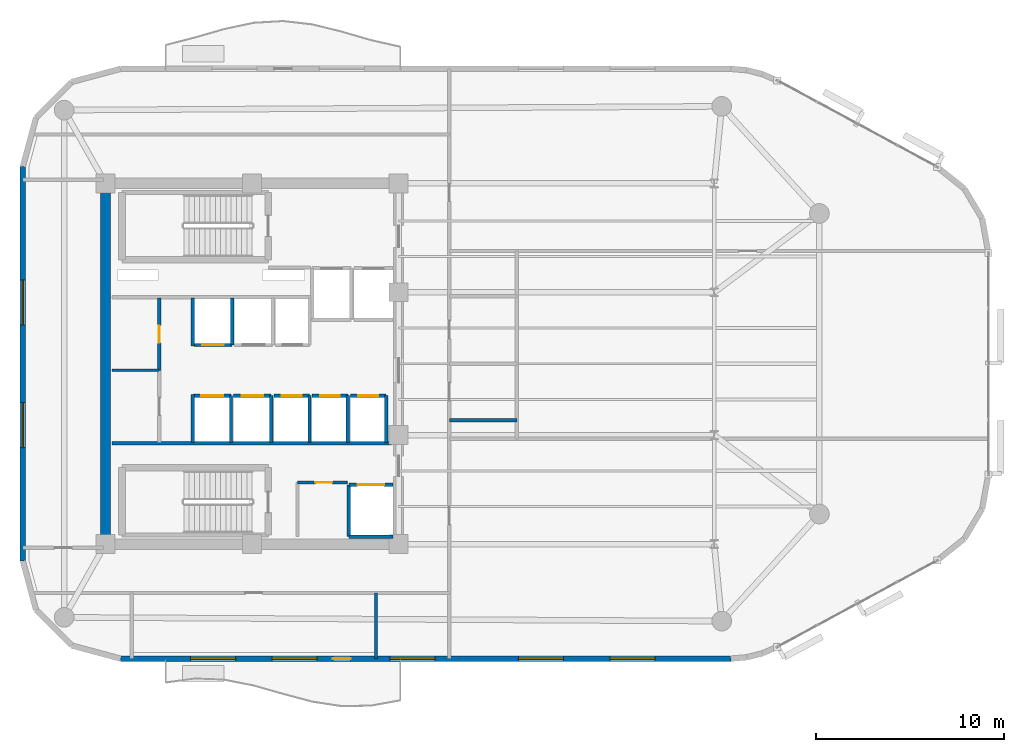
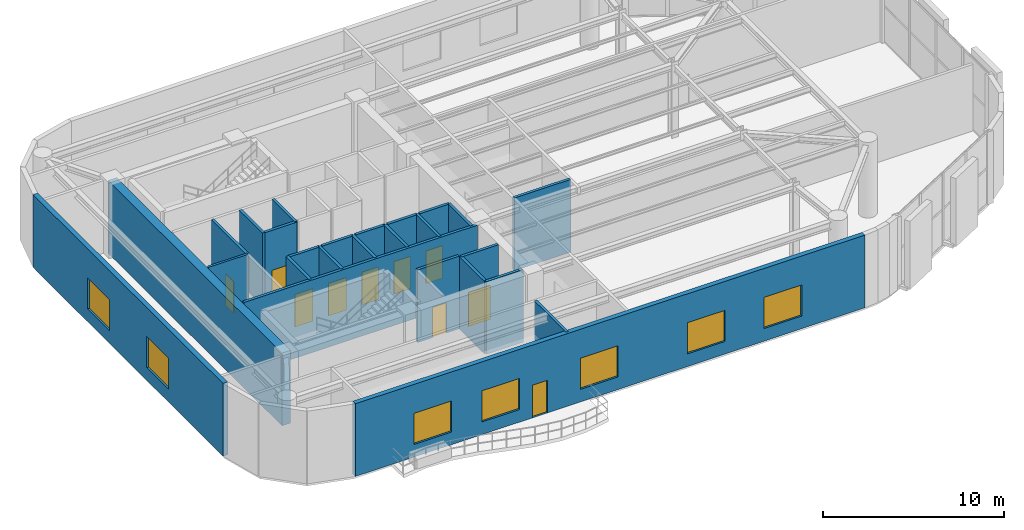
# One storey, part 7 of 11: 26 walls, 10 doors, 7 windows, 17 openings.
"""IFC4 building model written with IfcOpenShell, lengths in metres."""

from ifc_helpers import new_model, si_unit, direction, frame, frame_2d, origin, place, context, subcontext, project, spatial, rectangle, extrude, material, layer, layer_set, type_object, element, fill, save


model = new_model("IFC4")

# Units and contexts
model_context = context("Model", 3, precision=1e-05, world=origin(), true_north=direction((0.0, 1.0)))
body_context = subcontext(model_context, "Body", "Model", "MODEL_VIEW")
ifc_project = project(units=[si_unit("LENGTHUNIT", "METRE"), si_unit("AREAUNIT", "SQUARE_METRE"), si_unit("VOLUMEUNIT", "CUBIC_METRE"), si_unit("PLANEANGLEUNIT", "RADIAN"), si_unit("MASSUNIT", "GRAM", prefix="KILO")], contexts=[model_context])

# Site, building, storey
site_placement = place(None, origin())
site = spatial("IfcSite", under=ifc_project, at=site_placement, CompositionType="ELEMENT")
building_placement = place(site_placement, origin())
building = spatial("IfcBuilding", under=site, at=building_placement, Name="An Khanh Terracotta Commons", CompositionType="ELEMENT")
storey_placement = place(building_placement, frame((0.0, 0.0, 196.199951171875)))
storey = spatial("IfcBuildingStorey", under=building, at=storey_placement, Name="L51", CompositionType="ELEMENT", Elevation=196.199951171875)

# Walls
ifc_material_1 = material(Name="Concrete C50/60", Category="concrete")
ifc_layer_1 = layer(ifc_material_1, 0.550048828125, Name="Concrete C50/60")
ifc_layer_set_1 = layer_set([ifc_layer_1], Name="Concrete C50/60")
wall_type_1 = type_object("IfcWallType", Name="WALL-CORE-550", PredefinedType="SHEAR", material=ifc_layer_set_1)
wall_1_placement = place(storey_placement, frame((21.60009765625, 14.39990234375, 0.0), z_axis=(0.0, 0.0, 1.0), x_axis=(0.0, 1.0, 0.0)))
element("IfcWall", 1, at=wall_1_placement, inside=storey, type_object=wall_type_1, Name="L51 Core Wall CWALL-L51-W", PredefinedType="SHEAR", context=body_context, shape_type="SweptSolid", body=[
    extrude(rectangle(XDim=19.2001953125, YDim=0.550048828125, at=frame_2d((9.60009765625, 0.0))), origin(), (0.0, 0.0, 1.0), 4.900146484375),
])
ifc_material_2 = material(Name="Fire-Rated Gypsum Board on Steel Stud", Category="steel")
ifc_layer_2 = layer(ifc_material_2, 0.179931640625, Name="Fire-Rated Gypsum Board on Steel Stud")
ifc_layer_set_2 = layer_set([ifc_layer_2], Name="Fire-Rated Gypsum Board on Steel Stud")
wall_type_2 = type_object("IfcWallType", Name="WALL-CORR-180", PredefinedType="PARTITIONING", material=ifc_layer_set_2)
wall_2_placement = place(storey_placement, frame((21.949951171875, 19.760009765625, 0.0), z_axis=(0.0, 0.0, 1.0), x_axis=(1.0, 0.0, 0.0)))
element("IfcWall", 2, at=wall_2_placement, inside=storey, type_object=wall_type_2, Name="L51 Core Wall SVW-L51-N", PredefinedType="PARTITIONING", context=body_context, shape_type="SweptSolid", body=[
    extrude(rectangle(XDim=14.8701171875, YDim=0.179931640625, at=frame_2d((7.43505859375, 0.0))), origin(), (0.0, 0.0, 1.0), 4.900146484375),
])

# Wall, opening, door
wall_3_placement = place(storey_placement, frame((31.820068359375, 17.679931640625, 0.0), z_axis=(0.0, 0.0, 1.0), x_axis=(1.0, 0.0, 0.0)))
wall_3 = element("IfcWall", 3, at=wall_3_placement, inside=storey, type_object=wall_type_2, Name="L51 Core Wall SSVCW-L51-N", PredefinedType="PARTITIONING", context=body_context, shape_type="SweptSolid", body=[
    extrude(rectangle(XDim=2.659912109375, YDim=0.179931640625, at=frame_2d((1.330078125, 0.0))), origin(), (0.0, 0.0, 1.0), 4.900146484375),
])
opening_1_placement = place(wall_3_placement, frame((0.949951171875, 0.0, 0.0)))
opening_1 = element("IfcOpeningElement", 4, at=opening_1_placement, cuts=wall_3, Name="Opening D-SV", PredefinedType="OPENING", context=body_context, shape_type="SweptSolid", body=[
    extrude(rectangle(XDim=0.89990234375, YDim=2.050048828125, at=frame_2d((0.449951171875, 1.02490234375))), frame((0.0, 0.099853515625, 0.0), z_axis=(0.0, -1.0, 0.0), x_axis=(1.0, 0.0, 0.0)), (0.0, 0.0, 1.0), 0.199951171875),
])
ifc_material_3 = material(Name="Fire-Rated Powder-Coated Steel Door", Category="steel")
door_type_1 = type_object("IfcDoorType", Name="DOOR-SERV-900", OperationType="NOTDEFINED", PredefinedType="DOOR", material=ifc_material_3)
door_1_placement = place(opening_1_placement, origin())
door_1 = element("IfcDoor", 5, at=door_1_placement, inside=storey, type_object=door_type_1, Name="L51 Electrical Switch Cupboard Door", OperationType="SINGLE_SWING_RIGHT", OverallHeight=2.050048828125, OverallWidth=0.89990234375, PredefinedType="DOOR", context=body_context, shape_type="SweptSolid", body=[
    extrude(rectangle(XDim=0.89990234375, YDim=2.050048828125, at=frame_2d((0.449951171875, 1.02490234375))), frame((0.0, 0.02490234375, 0.0), z_axis=(0.0, -1.0, 0.0), x_axis=(1.0, 0.0, 0.0)), (0.0, 0.0, 1.0), 0.050048828125),
])
fill(opening_1, door_1)

wall_4_placement = place(storey_placement, frame((34.550048828125, 17.550048828125, 0.0), z_axis=(0.0, 0.0, 1.0), x_axis=(1.0, 0.0, 0.0)))
wall_4 = element("IfcWall", 6, at=wall_4_placement, inside=storey, type_object=wall_type_2, Name="L51 Core Wall LSH-L51-SVL-01-N", PredefinedType="PARTITIONING", context=body_context, shape_type="SweptSolid", body=[
    extrude(rectangle(XDim=2.349853515625, YDim=0.179931640625, at=frame_2d((1.1748046875, 0.0))), origin(), (0.0, 0.0, 1.0), 4.900146484375),
])
opening_2_placement = place(wall_4_placement, frame((0.47509765625, 0.0, 0.0)))
opening_2 = element("IfcOpeningElement", 7, at=opening_2_placement, cuts=wall_4, Name="Opening LD-SVL-01-L51", PredefinedType="OPENING", context=body_context, shape_type="SweptSolid", body=[
    extrude(rectangle(XDim=1.39990234375, YDim=2.300048828125, at=frame_2d((0.699951171875, 1.14990234375))), frame((0.0, 0.099853515625, 0.0), z_axis=(0.0, -1.0, 0.0), x_axis=(1.0, 0.0, 0.0)), (0.0, 0.0, 1.0), 0.199951171875),
])
ifc_material_4 = material(Name="Heavy-Duty Stainless Steel Goods Landing Door", Category="steel")
door_type_2 = type_object("IfcDoorType", Name="DOOR-LD-SVL-1400", OperationType="NOTDEFINED", PredefinedType="DOOR", material=ifc_material_4)
door_2_placement = place(opening_2_placement, origin())
door_2 = element("IfcDoor", 8, at=door_2_placement, inside=storey, type_object=door_type_2, Name="L51 Lift SVL-01 Sliding Landing Door", OperationType="DOUBLE_DOOR_SLIDING", OverallHeight=2.300048828125, OverallWidth=1.39990234375, PredefinedType="DOOR", context=body_context, shape_type="SweptSolid", body=[
    extrude(rectangle(XDim=1.39990234375, YDim=2.300048828125, at=frame_2d((0.699951171875, 1.14990234375))), frame((0.0, 0.02490234375, 0.0), z_axis=(0.0, -1.0, 0.0), x_axis=(1.0, 0.0, 0.0)), (0.0, 0.0, 1.0), 0.050048828125),
])
fill(opening_2, door_2)

# Walls
wall_5_placement = place(storey_placement, frame((36.89990234375, 14.800048828125, 0.0), z_axis=(0.0, 0.0, 1.0), x_axis=(-1.0, 0.0, 0.0)))
element("IfcWall", 9, at=wall_5_placement, inside=storey, type_object=wall_type_2, Name="L51 Core Wall LSH-L51-SVL-01-S", PredefinedType="PARTITIONING", context=body_context, shape_type="SweptSolid", body=[
    extrude(rectangle(XDim=2.349853515625, YDim=0.179931640625, at=frame_2d((1.1748046875, 0.0))), origin(), (0.0, 0.0, 1.0), 4.900146484375),
])
wall_6_placement = place(storey_placement, frame((34.550048828125, 17.550048828125, 0.0), z_axis=(0.0, 0.0, 1.0), x_axis=(0.0, -1.0, 0.0)))
element("IfcWall", 10, at=wall_6_placement, inside=storey, type_object=wall_type_2, Name="L51 Core Wall LSH-L51-SVL-01-W", PredefinedType="PARTITIONING", context=body_context, shape_type="SweptSolid", body=[
    extrude(rectangle(XDim=2.75, YDim=0.179931640625, at=frame_2d((1.375, 0.0))), origin(), (0.0, 0.0, 1.0), 4.900146484375),
])

# Wall, opening, door
wall_7_placement = place(storey_placement, frame((28.340087890625, 25.0, 0.0), z_axis=(0.0, 0.0, 1.0), x_axis=(-1.0, 0.0, 0.0)))
wall_7 = element("IfcWall", 11, at=wall_7_placement, inside=storey, type_object=wall_type_2, Name="L51 Core Wall LSH-L51-PL-M1-S", PredefinedType="PARTITIONING", context=body_context, shape_type="SweptSolid", body=[
    extrude(rectangle(XDim=2.02001953125, YDim=0.179931640625, at=frame_2d((1.010009765625, 0.0))), origin(), (0.0, 0.0, 1.0), 4.900146484375),
])
opening_3_placement = place(wall_7_placement, frame((0.43505859375, 0.0, 0.0)))
opening_3 = element("IfcOpeningElement", 12, at=opening_3_placement, cuts=wall_7, Name="Opening LD-PL-M1-L51", PredefinedType="OPENING", context=body_context, shape_type="SweptSolid", body=[
    extrude(rectangle(XDim=1.14990234375, YDim=2.199951171875, at=frame_2d((0.574951171875, 1.10009765625))), frame((0.0, 0.099853515625, 0.0), z_axis=(0.0, -1.0, 0.0), x_axis=(1.0, 0.0, 0.0)), (0.0, 0.0, 1.0), 0.199951171875),
])
ifc_material_5 = material(Name="Brushed Stainless Steel Passenger Landing Door", Category="steel")
door_type_3 = type_object("IfcDoorType", Name="DOOR-LD-PAX-1150", OperationType="NOTDEFINED", PredefinedType="DOOR", material=ifc_material_5)
door_3_placement = place(opening_3_placement, origin())
door_3 = element("IfcDoor", 13, at=door_3_placement, inside=storey, type_object=door_type_3, Name="L51 Lift PL-M1 Sliding Landing Door", OperationType="DOUBLE_DOOR_SLIDING", OverallHeight=2.199951171875, OverallWidth=1.14990234375, PredefinedType="DOOR", context=body_context, shape_type="SweptSolid", body=[
    extrude(rectangle(XDim=1.14990234375, YDim=2.199951171875, at=frame_2d((0.574951171875, 1.10009765625))), frame((0.0, 0.02490234375, 0.0), z_axis=(0.0, -1.0, 0.0), x_axis=(1.0, 0.0, 0.0)), (0.0, 0.0, 1.0), 0.050048828125),
])
fill(opening_3, door_3)

# Wall
wall_8_placement = place(storey_placement, frame((28.340087890625, 25.0, 0.0), z_axis=(0.0, 0.0, 1.0), x_axis=(0.0, 1.0, 0.0)))
element("IfcWall", 14, at=wall_8_placement, inside=storey, type_object=wall_type_2, Name="L51 Core Wall LSH-L51-PL-M1-E", PredefinedType="PARTITIONING", context=body_context, shape_type="SweptSolid", body=[
    extrude(rectangle(XDim=2.5, YDim=0.179931640625, at=frame_2d((1.25, 0.0))), origin(), (0.0, 0.0, 1.0), 4.900146484375),
])

# Wall, opening, door
wall_9_placement = place(storey_placement, frame((26.280029296875, 22.300048828125, 0.0), z_axis=(0.0, 0.0, 1.0), x_axis=(1.0, 0.0, 0.0)))
wall_9 = element("IfcWall", 15, at=wall_9_placement, inside=storey, type_object=wall_type_2, Name="L51 Core Wall LSH-L51-PL-M3-N", PredefinedType="PARTITIONING", context=body_context, shape_type="SweptSolid", body=[
    extrude(rectangle(XDim=2.0, YDim=0.179931640625, at=frame_2d((1.0, 0.0))), origin(), (0.0, 0.0, 1.0), 4.900146484375),
])
opening_4_placement = place(wall_9_placement, frame((0.425048828125, 0.0, 0.0)))
opening_4 = element("IfcOpeningElement", 16, at=opening_4_placement, cuts=wall_9, Name="Opening LD-PL-M3-L51", PredefinedType="OPENING", context=body_context, shape_type="SweptSolid", body=[
    extrude(rectangle(XDim=1.14990234375, YDim=2.199951171875, at=frame_2d((0.574951171875, 1.10009765625))), frame((0.0, 0.099853515625, 0.0), z_axis=(0.0, -1.0, 0.0), x_axis=(1.0, 0.0, 0.0)), (0.0, 0.0, 1.0), 0.199951171875),
])
door_4_placement = place(opening_4_placement, origin())
door_4 = element("IfcDoor", 17, at=door_4_placement, inside=storey, type_object=door_type_3, Name="L51 Lift PL-M3 Sliding Landing Door", OperationType="DOUBLE_DOOR_SLIDING", OverallHeight=2.199951171875, OverallWidth=1.14990234375, PredefinedType="DOOR", context=body_context, shape_type="SweptSolid", body=[
    extrude(rectangle(XDim=1.14990234375, YDim=2.199951171875, at=frame_2d((0.574951171875, 1.10009765625))), frame((0.0, 0.02490234375, 0.0), z_axis=(0.0, -1.0, 0.0), x_axis=(1.0, 0.0, 0.0)), (0.0, 0.0, 1.0), 0.050048828125),
])
fill(opening_4, door_4)

# Wall
wall_10_placement = place(storey_placement, frame((28.280029296875, 19.800048828125, 0.0), z_axis=(0.0, 0.0, 1.0), x_axis=(0.0, 1.0, 0.0)))
element("IfcWall", 18, at=wall_10_placement, inside=storey, type_object=wall_type_2, Name="L51 Core Wall LSH-L51-PL-M3-E", PredefinedType="PARTITIONING", context=body_context, shape_type="SweptSolid", body=[
    extrude(rectangle(XDim=2.5, YDim=0.179931640625, at=frame_2d((1.25, 0.0))), origin(), (0.0, 0.0, 1.0), 4.900146484375),
])

# Wall, opening, door
wall_11_placement = place(storey_placement, frame((28.419921875, 22.300048828125, 0.0), z_axis=(0.0, 0.0, 1.0), x_axis=(1.0, 0.0, 0.0)))
wall_11 = element("IfcWall", 19, at=wall_11_placement, inside=storey, type_object=wall_type_2, Name="L51 Core Wall LSH-L51-PL-M4-N", PredefinedType="PARTITIONING", context=body_context, shape_type="SweptSolid", body=[
    extrude(rectangle(XDim=2.0, YDim=0.179931640625, at=frame_2d((1.0, 0.0))), origin(), (0.0, 0.0, 1.0), 4.900146484375),
])
opening_5_placement = place(wall_11_placement, frame((0.425048828125, 0.0, 0.0)))
opening_5 = element("IfcOpeningElement", 20, at=opening_5_placement, cuts=wall_11, Name="Opening LD-PL-M4-L51", PredefinedType="OPENING", context=body_context, shape_type="SweptSolid", body=[
    extrude(rectangle(XDim=1.14990234375, YDim=2.199951171875, at=frame_2d((0.574951171875, 1.10009765625))), frame((0.0, 0.099853515625, 0.0), z_axis=(0.0, -1.0, 0.0), x_axis=(1.0, 0.0, 0.0)), (0.0, 0.0, 1.0), 0.199951171875),
])
door_5_placement = place(opening_5_placement, origin())
door_5 = element("IfcDoor", 21, at=door_5_placement, inside=storey, type_object=door_type_3, Name="L51 Lift PL-M4 Sliding Landing Door", OperationType="DOUBLE_DOOR_SLIDING", OverallHeight=2.199951171875, OverallWidth=1.14990234375, PredefinedType="DOOR", context=body_context, shape_type="SweptSolid", body=[
    extrude(rectangle(XDim=1.14990234375, YDim=2.199951171875, at=frame_2d((0.574951171875, 1.10009765625))), frame((0.0, 0.02490234375, 0.0), z_axis=(0.0, -1.0, 0.0), x_axis=(1.0, 0.0, 0.0)), (0.0, 0.0, 1.0), 0.050048828125),
])
fill(opening_5, door_5)

# Wall
wall_12_placement = place(storey_placement, frame((30.419921875, 19.800048828125, 0.0), z_axis=(0.0, 0.0, 1.0), x_axis=(0.0, 1.0, 0.0)))
element("IfcWall", 22, at=wall_12_placement, inside=storey, type_object=wall_type_2, Name="L51 Core Wall LSH-L51-PL-M4-E", PredefinedType="PARTITIONING", context=body_context, shape_type="SweptSolid", body=[
    extrude(rectangle(XDim=2.5, YDim=0.179931640625, at=frame_2d((1.25, 0.0))), origin(), (0.0, 0.0, 1.0), 4.900146484375),
])

# Wall, opening, door
wall_13_placement = place(storey_placement, frame((30.56005859375, 22.300048828125, 0.0), z_axis=(0.0, 0.0, 1.0), x_axis=(1.0, 0.0, 0.0)))
wall_13 = element("IfcWall", 23, at=wall_13_placement, inside=storey, type_object=wall_type_2, Name="L51 Core Wall LSH-L51-PL-H2-N", PredefinedType="PARTITIONING", context=body_context, shape_type="SweptSolid", body=[
    extrude(rectangle(XDim=1.89990234375, YDim=0.179931640625, at=frame_2d((0.949951171875, 0.0))), origin(), (0.0, 0.0, 1.0), 4.900146484375),
])
opening_6_placement = place(wall_13_placement, frame((0.425048828125, 0.0, 0.0)))
opening_6 = element("IfcOpeningElement", 24, at=opening_6_placement, cuts=wall_13, Name="Opening LD-PL-H2-L51", PredefinedType="OPENING", context=body_context, shape_type="SweptSolid", body=[
    extrude(rectangle(XDim=1.050048828125, YDim=2.199951171875, at=frame_2d((0.52490234375, 1.10009765625))), frame((0.0, 0.099853515625, 0.0), z_axis=(0.0, -1.0, 0.0), x_axis=(1.0, 0.0, 0.0)), (0.0, 0.0, 1.0), 0.199951171875),
])
ifc_material_6 = material(Name="Brushed Stainless Steel High-Rise Landing Door", Category="steel")
door_type_4 = type_object("IfcDoorType", Name="DOOR-LD-PAXH-1050", OperationType="NOTDEFINED", PredefinedType="DOOR", material=ifc_material_6)
door_6_placement = place(opening_6_placement, origin())
door_6 = element("IfcDoor", 25, at=door_6_placement, inside=storey, type_object=door_type_4, Name="L51 Lift PL-H2 Sliding Landing Door", OperationType="DOUBLE_DOOR_SLIDING", OverallHeight=2.199951171875, OverallWidth=1.050048828125, PredefinedType="DOOR", context=body_context, shape_type="SweptSolid", body=[
    extrude(rectangle(XDim=1.050048828125, YDim=2.199951171875, at=frame_2d((0.52490234375, 1.10009765625))), frame((0.0, 0.02490234375, 0.0), z_axis=(0.0, -1.0, 0.0), x_axis=(1.0, 0.0, 0.0)), (0.0, 0.0, 1.0), 0.050048828125),
])
fill(opening_6, door_6)

# Wall
wall_14_placement = place(storey_placement, frame((32.4599609375, 19.800048828125, 0.0), z_axis=(0.0, 0.0, 1.0), x_axis=(0.0, 1.0, 0.0)))
element("IfcWall", 26, at=wall_14_placement, inside=storey, type_object=wall_type_2, Name="L51 Core Wall LSH-L51-PL-H2-E", PredefinedType="PARTITIONING", context=body_context, shape_type="SweptSolid", body=[
    extrude(rectangle(XDim=2.5, YDim=0.179931640625, at=frame_2d((1.25, 0.0))), origin(), (0.0, 0.0, 1.0), 4.900146484375),
])

# Wall, opening, door
wall_15_placement = place(storey_placement, frame((32.60009765625, 22.300048828125, 0.0), z_axis=(0.0, 0.0, 1.0), x_axis=(1.0, 0.0, 0.0)))
wall_15 = element("IfcWall", 27, at=wall_15_placement, inside=storey, type_object=wall_type_2, Name="L51 Core Wall LSH-L51-PL-H3-N", PredefinedType="PARTITIONING", context=body_context, shape_type="SweptSolid", body=[
    extrude(rectangle(XDim=1.89990234375, YDim=0.179931640625, at=frame_2d((0.949951171875, 0.0))), origin(), (0.0, 0.0, 1.0), 4.900146484375),
])
opening_7_placement = place(wall_15_placement, frame((0.425048828125, 0.0, 0.0)))
opening_7 = element("IfcOpeningElement", 28, at=opening_7_placement, cuts=wall_15, Name="Opening LD-PL-H3-L51", PredefinedType="OPENING", context=body_context, shape_type="SweptSolid", body=[
    extrude(rectangle(XDim=1.050048828125, YDim=2.199951171875, at=frame_2d((0.52490234375, 1.10009765625))), frame((0.0, 0.099853515625, 0.0), z_axis=(0.0, -1.0, 0.0), x_axis=(1.0, 0.0, 0.0)), (0.0, 0.0, 1.0), 0.199951171875),
])
door_7_placement = place(opening_7_placement, origin())
door_7 = element("IfcDoor", 29, at=door_7_placement, inside=storey, type_object=door_type_4, Name="L51 Lift PL-H3 Sliding Landing Door", OperationType="DOUBLE_DOOR_SLIDING", OverallHeight=2.199951171875, OverallWidth=1.050048828125, PredefinedType="DOOR", context=body_context, shape_type="SweptSolid", body=[
    extrude(rectangle(XDim=1.050048828125, YDim=2.199951171875, at=frame_2d((0.52490234375, 1.10009765625))), frame((0.0, 0.02490234375, 0.0), z_axis=(0.0, -1.0, 0.0), x_axis=(1.0, 0.0, 0.0)), (0.0, 0.0, 1.0), 0.050048828125),
])
fill(opening_7, door_7)

# Wall
wall_16_placement = place(storey_placement, frame((34.5, 19.800048828125, 0.0), z_axis=(0.0, 0.0, 1.0), x_axis=(0.0, 1.0, 0.0)))
element("IfcWall", 30, at=wall_16_placement, inside=storey, type_object=wall_type_2, Name="L51 Core Wall LSH-L51-PL-H3-E", PredefinedType="PARTITIONING", context=body_context, shape_type="SweptSolid", body=[
    extrude(rectangle(XDim=2.5, YDim=0.179931640625, at=frame_2d((1.25, 0.0))), origin(), (0.0, 0.0, 1.0), 4.900146484375),
])

# Wall, opening, door
wall_17_placement = place(storey_placement, frame((34.639892578125, 22.300048828125, 0.0), z_axis=(0.0, 0.0, 1.0), x_axis=(1.0, 0.0, 0.0)))
wall_17 = element("IfcWall", 31, at=wall_17_placement, inside=storey, type_object=wall_type_2, Name="L51 Core Wall LSH-L51-PL-H4-N", PredefinedType="PARTITIONING", context=body_context, shape_type="SweptSolid", body=[
    extrude(rectangle(XDim=1.900146484375, YDim=0.179931640625, at=frame_2d((0.9501953125, 0.0))), origin(), (0.0, 0.0, 1.0), 4.900146484375),
])
opening_8_placement = place(wall_17_placement, frame((0.425048828125, 0.0, 0.0)))
opening_8 = element("IfcOpeningElement", 32, at=opening_8_placement, cuts=wall_17, Name="Opening LD-PL-H4-L51", PredefinedType="OPENING", context=body_context, shape_type="SweptSolid", body=[
    extrude(rectangle(XDim=1.050048828125, YDim=2.199951171875, at=frame_2d((0.52490234375, 1.10009765625))), frame((0.0, 0.099853515625, 0.0), z_axis=(0.0, -1.0, 0.0), x_axis=(1.0, 0.0, 0.0)), (0.0, 0.0, 1.0), 0.199951171875),
])
door_8_placement = place(opening_8_placement, origin())
door_8 = element("IfcDoor", 33, at=door_8_placement, inside=storey, type_object=door_type_4, Name="L51 Lift PL-H4 Sliding Landing Door", OperationType="DOUBLE_DOOR_SLIDING", OverallHeight=2.199951171875, OverallWidth=1.050048828125, PredefinedType="DOOR", context=body_context, shape_type="SweptSolid", body=[
    extrude(rectangle(XDim=1.050048828125, YDim=2.199951171875, at=frame_2d((0.52490234375, 1.10009765625))), frame((0.0, 0.02490234375, 0.0), z_axis=(0.0, -1.0, 0.0), x_axis=(1.0, 0.0, 0.0)), (0.0, 0.0, 1.0), 0.050048828125),
])
fill(opening_8, door_8)

# Wall
wall_18_placement = place(storey_placement, frame((36.5400390625, 19.800048828125, 0.0), z_axis=(0.0, 0.0, 1.0), x_axis=(0.0, 1.0, 0.0)))
element("IfcWall", 34, at=wall_18_placement, inside=storey, type_object=wall_type_2, Name="L51 Core Wall LSH-L51-PL-H4-E", PredefinedType="PARTITIONING", context=body_context, shape_type="SweptSolid", body=[
    extrude(rectangle(XDim=2.5, YDim=0.179931640625, at=frame_2d((1.25, 0.0))), origin(), (0.0, 0.0, 1.0), 4.900146484375),
])

# Wall, opening, door
wall_19_placement = place(storey_placement, frame((24.4599609375, 23.64990234375, 0.0), z_axis=(0.0, 0.0, 1.0), x_axis=(0.0, 1.0, 0.0)))
wall_19 = element("IfcWall", 35, at=wall_19_placement, inside=storey, type_object=wall_type_2, Name="L51 Core Wall RECW-L51-E1", PredefinedType="PARTITIONING", context=body_context, shape_type="SweptSolid", body=[
    extrude(rectangle(XDim=3.85009765625, YDim=0.179931640625, at=frame_2d((1.925048828125, 0.0))), origin(), (0.0, 0.0, 1.0), 4.900146484375),
])
opening_9_placement = place(wall_19_placement, frame((1.465087890625, 0.0, 0.0)))
opening_9 = element("IfcOpeningElement", 36, at=opening_9_placement, cuts=wall_19, Name="Opening D-RM", PredefinedType="OPENING", context=body_context, shape_type="SweptSolid", body=[
    extrude(rectangle(XDim=0.919921875, YDim=2.10009765625, at=frame_2d((0.4599609375, 1.050048828125))), frame((0.0, 0.099853515625, 0.0), z_axis=(0.0, -1.0, 0.0), x_axis=(1.0, 0.0, 0.0)), (0.0, 0.0, 1.0), 0.199951171875),
])
ifc_material_7 = material(Name="Engineered Hardwood Timber Leaf", Category="wood")
door_type_5 = type_object("IfcDoorType", Name="DOOR-INT-920", OperationType="NOTDEFINED", PredefinedType="DOOR", material=ifc_material_7)
door_9_placement = place(opening_9_placement, origin())
door_9 = element("IfcDoor", 37, at=door_9_placement, inside=storey, type_object=door_type_5, Name="L51 Communal Laundry Room Door", OperationType="SINGLE_SWING_LEFT", OverallHeight=2.10009765625, OverallWidth=0.919921875, PredefinedType="DOOR", context=body_context, shape_type="SweptSolid", body=[
    extrude(rectangle(XDim=0.919921875, YDim=2.10009765625, at=frame_2d((0.4599609375, 1.050048828125))), frame((0.0, 0.02490234375, 0.0), z_axis=(0.0, -1.0, 0.0), x_axis=(1.0, 0.0, 0.0)), (0.0, 0.0, 1.0), 0.050048828125),
])
fill(opening_9, door_9)

# Walls
for number, where, z_axis, x_axis, name in (
    (38, (26.25, 24.949951171875, 0.0), (0.0, 0.0, 1.0), (0.0, 1.0, 0.0), "L51 Core Wall RECW-L51-BE1"),
    (39, (26.25, 19.800048828125, 0.0), (0.0, 0.0, 1.0), (0.0, 1.0, 0.0), "L51 Core Wall RECW-L51-BE2"),
):
    element("IfcWall", number, at=place(storey_placement, frame(where, z_axis=z_axis, x_axis=x_axis)), inside=storey, type_object=wall_type_2, Name=name, PredefinedType="PARTITIONING", context=body_context, shape_type="SweptSolid", body=[
        extrude(rectangle(XDim=2.550048828125, YDim=0.179931640625, at=frame_2d((1.27490234375, 0.0))), origin(), (0.0, 0.0, 1.0), 4.900146484375),
    ])
wall_20_placement = place(storey_placement, frame((39.89990234375, 21.0, 0.0), z_axis=(0.0, 0.0, 1.0), x_axis=(1.0, 0.0, 0.0)))
element("IfcWall", 40, at=wall_20_placement, inside=storey, type_object=wall_type_2, Name="L51 Interior Partition IW-L51-E004", PredefinedType="PARTITIONING", context=body_context, shape_type="SweptSolid", body=[
    extrude(rectangle(XDim=3.60009765625, YDim=0.179931640625, at=frame_2d((1.800048828125, 0.0))), origin(), (0.0, 0.0, 1.0), 4.900146484375),
])
wall_21_placement = place(storey_placement, frame((36.0, 8.300048828125, 0.0), z_axis=(0.0, 0.0, 1.0), x_axis=(0.0, 1.0, 0.0)))
element("IfcWall", 41, at=wall_21_placement, inside=storey, type_object=wall_type_2, Name="L51 Interior Partition IW-L51-E011", PredefinedType="PARTITIONING", context=body_context, shape_type="SweptSolid", body=[
    extrude(rectangle(XDim=3.5, YDim=0.179931640625, at=frame_2d((1.75, 0.0))), origin(), (0.0, 0.0, 1.0), 4.900146484375),
])

# Wall, openings, door, windows
ifc_material_8 = material(Name="Precast concrete C40/50", Category="concrete")
ifc_layer_3 = layer(ifc_material_8, 0.300048828125, Name="Precast concrete C40/50")
ifc_layer_set_3 = layer_set([ifc_layer_3], Name="Precast concrete C40/50")
wall_type_3 = type_object("IfcWallType", Name="WALL-EXT-300", PredefinedType="SOLIDWALL", material=ifc_layer_set_3)
wall_22_placement = place(storey_placement, frame((22.39990234375, 8.300048828125, 0.0), z_axis=(0.0, 0.0, 1.0), x_axis=(1.0, 0.0, 0.0)))
wall_22 = element("IfcWall", 42, at=wall_22_placement, inside=storey, type_object=wall_type_3, Name="L51 Insulated Terracotta Exterior Wall 4", PredefinedType="SOLIDWALL", context=body_context, shape_type="SweptSolid", body=[
    extrude(rectangle(XDim=32.485107421875, YDim=0.300048828125, at=frame_2d((16.24267578125, 0.0))), origin(), (0.0, 0.0, 1.0), 4.900146484375),
])
opening_10_placement = place(wall_22_placement, frame((11.300048828125, 0.0, 0.0)))
opening_10 = element("IfcOpeningElement", 43, at=opening_10_placement, cuts=wall_22, Name="Opening D-BAL", PredefinedType="OPENING", context=body_context, shape_type="SweptSolid", body=[
    extrude(rectangle(XDim=0.949951171875, YDim=2.199951171875, at=frame_2d((0.47509765625, 1.10009765625))), frame((0.0, 0.159912109375, 0.0), z_axis=(0.0, -1.0, 0.0), x_axis=(1.0, 0.0, 0.0)), (0.0, 0.0, 1.0), 0.320068359375),
])
opening_11_placement = place(wall_22_placement, frame((3.73291015625, 0.0, 0.85009765625)))
opening_11 = element("IfcOpeningElement", 44, at=opening_11_placement, cuts=wall_22, Name="Opening W-07", PredefinedType="OPENING", context=body_context, shape_type="SweptSolid", body=[
    extrude(rectangle(XDim=2.39990234375, YDim=2.10009765625, at=frame_2d((1.199951171875, 1.050048828125))), frame((0.0, 0.159912109375, 0.0), z_axis=(0.0, -1.0, 0.0), x_axis=(1.0, 0.0, 0.0)), (0.0, 0.0, 1.0), 0.320068359375),
])
opening_12_placement = place(wall_22_placement, frame((8.06689453125, 0.0, 0.85009765625)))
opening_12 = element("IfcOpeningElement", 45, at=opening_12_placement, cuts=wall_22, Name="Opening W-07", PredefinedType="OPENING", context=body_context, shape_type="SweptSolid", body=[
    extrude(rectangle(XDim=2.39990234375, YDim=2.10009765625, at=frame_2d((1.199951171875, 1.050048828125))), frame((0.0, 0.159912109375, 0.0), z_axis=(0.0, -1.0, 0.0), x_axis=(1.0, 0.0, 0.0)), (0.0, 0.0, 1.0), 0.320068359375),
])
opening_13_placement = place(wall_22_placement, frame((14.35009765625, 0.0, 0.85009765625)))
opening_13 = element("IfcOpeningElement", 46, at=opening_13_placement, cuts=wall_22, Name="Opening W-07", PredefinedType="OPENING", context=body_context, shape_type="SweptSolid", body=[
    extrude(rectangle(XDim=2.39990234375, YDim=2.10009765625, at=frame_2d((1.199951171875, 1.050048828125))), frame((0.0, 0.159912109375, 0.0), z_axis=(0.0, -1.0, 0.0), x_axis=(1.0, 0.0, 0.0)), (0.0, 0.0, 1.0), 0.320068359375),
])
opening_14_placement = place(wall_22_placement, frame((21.177978515625, 0.0, 0.85009765625)))
opening_14 = element("IfcOpeningElement", 47, at=opening_14_placement, cuts=wall_22, Name="Opening W-07", PredefinedType="OPENING", context=body_context, shape_type="SweptSolid", body=[
    extrude(rectangle(XDim=2.39990234375, YDim=2.10009765625, at=frame_2d((1.199951171875, 1.050048828125))), frame((0.0, 0.159912109375, 0.0), z_axis=(0.0, -1.0, 0.0), x_axis=(1.0, 0.0, 0.0)), (0.0, 0.0, 1.0), 0.320068359375),
])
opening_15_placement = place(wall_22_placement, frame((26.056884765625, 0.0, 0.85009765625)))
opening_15 = element("IfcOpeningElement", 48, at=opening_15_placement, cuts=wall_22, Name="Opening W-07", PredefinedType="OPENING", context=body_context, shape_type="SweptSolid", body=[
    extrude(rectangle(XDim=2.39990234375, YDim=2.10009765625, at=frame_2d((1.199951171875, 1.050048828125))), frame((0.0, 0.159912109375, 0.0), z_axis=(0.0, -1.0, 0.0), x_axis=(1.0, 0.0, 0.0)), (0.0, 0.0, 1.0), 0.320068359375),
])
ifc_material_9 = material(Name="Thermally Broken Aluminium and Low-E Glass", Category="aluminium")
door_type_6 = type_object("IfcDoorType", Name="DOOR-BALC-950", OperationType="NOTDEFINED", PredefinedType="DOOR", material=ifc_material_9)
door_10_placement = place(opening_10_placement, origin())
door_10 = element("IfcDoor", 49, at=door_10_placement, inside=storey, type_object=door_type_6, Name="L51 S Wave Balcony Glazed Door", OperationType="SINGLE_SWING_LEFT", OverallHeight=2.199951171875, OverallWidth=0.949951171875, PredefinedType="DOOR", context=body_context, shape_type="SweptSolid", body=[
    extrude(rectangle(XDim=0.949951171875, YDim=2.199951171875, at=frame_2d((0.47509765625, 1.10009765625))), frame((0.0, 0.02490234375, 0.0), z_axis=(0.0, -1.0, 0.0), x_axis=(1.0, 0.0, 0.0)), (0.0, 0.0, 1.0), 0.050048828125),
])
fill(opening_10, door_10)
window_type = type_object("IfcWindowType", Name="WIN-SKY-2400x2100", PartitioningType="TRIPLE_PANEL_VERTICAL", PredefinedType="WINDOW", material=ifc_material_9)
window_1_placement = place(opening_11_placement, origin())
window_1 = element("IfcWindow", 50, at=window_1_placement, inside=storey, type_object=window_type, Name="L51 Operable Casement Window 4.1", OverallHeight=2.10009765625, OverallWidth=2.39990234375, PartitioningType="TRIPLE_PANEL_VERTICAL", PredefinedType="WINDOW", context=body_context, shape_type="SweptSolid", body=[
    extrude(rectangle(XDim=2.39990234375, YDim=2.10009765625, at=frame_2d((1.199951171875, 1.050048828125))), frame((0.0, 0.030029296875, 0.0), z_axis=(0.0, -1.0, 0.0), x_axis=(1.0, 0.0, 0.0)), (0.0, 0.0, 1.0), 0.06005859375),
])
fill(opening_11, window_1)
window_2_placement = place(opening_12_placement, origin())
window_2 = element("IfcWindow", 51, at=window_2_placement, inside=storey, type_object=window_type, Name="L51 Operable Casement Window 4.2", OverallHeight=2.10009765625, OverallWidth=2.39990234375, PartitioningType="TRIPLE_PANEL_VERTICAL", PredefinedType="WINDOW", context=body_context, shape_type="SweptSolid", body=[
    extrude(rectangle(XDim=2.39990234375, YDim=2.10009765625, at=frame_2d((1.199951171875, 1.050048828125))), frame((0.0, 0.030029296875, 0.0), z_axis=(0.0, -1.0, 0.0), x_axis=(1.0, 0.0, 0.0)), (0.0, 0.0, 1.0), 0.06005859375),
])
fill(opening_12, window_2)
window_3_placement = place(opening_13_placement, origin())
window_3 = element("IfcWindow", 52, at=window_3_placement, inside=storey, type_object=window_type, Name="L51 Operable Casement Window 4.3", OverallHeight=2.10009765625, OverallWidth=2.39990234375, PartitioningType="TRIPLE_PANEL_VERTICAL", PredefinedType="WINDOW", context=body_context, shape_type="SweptSolid", body=[
    extrude(rectangle(XDim=2.39990234375, YDim=2.10009765625, at=frame_2d((1.199951171875, 1.050048828125))), frame((0.0, 0.030029296875, 0.0), z_axis=(0.0, -1.0, 0.0), x_axis=(1.0, 0.0, 0.0)), (0.0, 0.0, 1.0), 0.06005859375),
])
fill(opening_13, window_3)
window_4_placement = place(opening_14_placement, origin())
window_4 = element("IfcWindow", 53, at=window_4_placement, inside=storey, type_object=window_type, Name="L51 Operable Casement Window 4.4", OverallHeight=2.10009765625, OverallWidth=2.39990234375, PartitioningType="TRIPLE_PANEL_VERTICAL", PredefinedType="WINDOW", context=body_context, shape_type="SweptSolid", body=[
    extrude(rectangle(XDim=2.39990234375, YDim=2.10009765625, at=frame_2d((1.199951171875, 1.050048828125))), frame((0.0, 0.030029296875, 0.0), z_axis=(0.0, -1.0, 0.0), x_axis=(1.0, 0.0, 0.0)), (0.0, 0.0, 1.0), 0.06005859375),
])
fill(opening_14, window_4)
window_5_placement = place(opening_15_placement, origin())
window_5 = element("IfcWindow", 54, at=window_5_placement, inside=storey, type_object=window_type, Name="L51 Operable Casement Window 4.5", OverallHeight=2.10009765625, OverallWidth=2.39990234375, PartitioningType="TRIPLE_PANEL_VERTICAL", PredefinedType="WINDOW", context=body_context, shape_type="SweptSolid", body=[
    extrude(rectangle(XDim=2.39990234375, YDim=2.10009765625, at=frame_2d((1.199951171875, 1.050048828125))), frame((0.0, 0.030029296875, 0.0), z_axis=(0.0, -1.0, 0.0), x_axis=(1.0, 0.0, 0.0)), (0.0, 0.0, 1.0), 0.06005859375),
])
fill(opening_15, window_5)

# Wall, openings, windows
wall_23_placement = place(storey_placement, frame((17.199951171875, 34.5, 0.0), z_axis=(0.0, 0.0, 1.0), x_axis=(0.0, -1.0, 0.0)))
wall_23 = element("IfcWall", 55, at=wall_23_placement, inside=storey, type_object=wall_type_3, Name="L51 Insulated Terracotta Exterior Wall 24", PredefinedType="SOLIDWALL", context=body_context, shape_type="SweptSolid", body=[
    extrude(rectangle(XDim=21.0, YDim=0.300048828125, at=frame_2d((10.5, 0.0))), origin(), (0.0, 0.0, 1.0), 4.900146484375),
])
opening_16_placement = place(wall_23_placement, frame((6.032958984375, 0.0, 0.85009765625)))
opening_16 = element("IfcOpeningElement", 56, at=opening_16_placement, cuts=wall_23, Name="Opening W-07", PredefinedType="OPENING", context=body_context, shape_type="SweptSolid", body=[
    extrude(rectangle(XDim=2.39990234375, YDim=2.10009765625, at=frame_2d((1.199951171875, 1.050048828125))), frame((0.0, 0.159912109375, 0.0), z_axis=(0.0, -1.0, 0.0), x_axis=(1.0, 0.0, 0.0)), (0.0, 0.0, 1.0), 0.320068359375),
])
opening_17_placement = place(wall_23_placement, frame((12.56689453125, 0.0, 0.85009765625)))
opening_17 = element("IfcOpeningElement", 57, at=opening_17_placement, cuts=wall_23, Name="Opening W-07", PredefinedType="OPENING", context=body_context, shape_type="SweptSolid", body=[
    extrude(rectangle(XDim=2.39990234375, YDim=2.10009765625, at=frame_2d((1.199951171875, 1.050048828125))), frame((0.0, 0.159912109375, 0.0), z_axis=(0.0, -1.0, 0.0), x_axis=(1.0, 0.0, 0.0)), (0.0, 0.0, 1.0), 0.320068359375),
])
window_6_placement = place(opening_16_placement, origin())
window_6 = element("IfcWindow", 58, at=window_6_placement, inside=storey, type_object=window_type, Name="L51 Operable Casement Window 24.1", OverallHeight=2.10009765625, OverallWidth=2.39990234375, PartitioningType="TRIPLE_PANEL_VERTICAL", PredefinedType="WINDOW", context=body_context, shape_type="SweptSolid", body=[
    extrude(rectangle(XDim=2.39990234375, YDim=2.10009765625, at=frame_2d((1.199951171875, 1.050048828125))), frame((0.0, 0.030029296875, 0.0), z_axis=(0.0, -1.0, 0.0), x_axis=(1.0, 0.0, 0.0)), (0.0, 0.0, 1.0), 0.06005859375),
])
fill(opening_16, window_6)
window_7_placement = place(opening_17_placement, origin())
window_7 = element("IfcWindow", 59, at=window_7_placement, inside=storey, type_object=window_type, Name="L51 Operable Casement Window 24.2", OverallHeight=2.10009765625, OverallWidth=2.39990234375, PartitioningType="TRIPLE_PANEL_VERTICAL", PredefinedType="WINDOW", context=body_context, shape_type="SweptSolid", body=[
    extrude(rectangle(XDim=2.39990234375, YDim=2.10009765625, at=frame_2d((1.199951171875, 1.050048828125))), frame((0.0, 0.030029296875, 0.0), z_axis=(0.0, -1.0, 0.0), x_axis=(1.0, 0.0, 0.0)), (0.0, 0.0, 1.0), 0.06005859375),
])
fill(opening_17, window_7)

# Wall
ifc_material_10 = material(Name="Acoustic Gypsum Board Partition")
ifc_layer_4 = layer(ifc_material_10, 0.14990234375, Name="Acoustic Gypsum Board Partition")
ifc_layer_set_4 = layer_set([ifc_layer_4], Name="Acoustic Gypsum Board Partition")
wall_type_4 = type_object("IfcWallType", Name="WALL-PART-150", PredefinedType="PARTITIONING", material=ifc_layer_set_4)
wall_24_placement = place(storey_placement, frame((21.949951171875, 23.64990234375, 0.0), z_axis=(0.0, 0.0, 1.0), x_axis=(1.0, 0.0, 0.0)))
element("IfcWall", 60, at=wall_24_placement, inside=storey, type_object=wall_type_4, Name="L51 Core Wall RECW-L51-M", PredefinedType="PARTITIONING", context=body_context, shape_type="SweptSolid", body=[
    extrude(rectangle(XDim=2.510009765625, YDim=0.14990234375, at=frame_2d((1.2548828125, 0.0))), origin(), (0.0, 0.0, 1.0), 4.900146484375),
])

save(model, "model.ifc")
